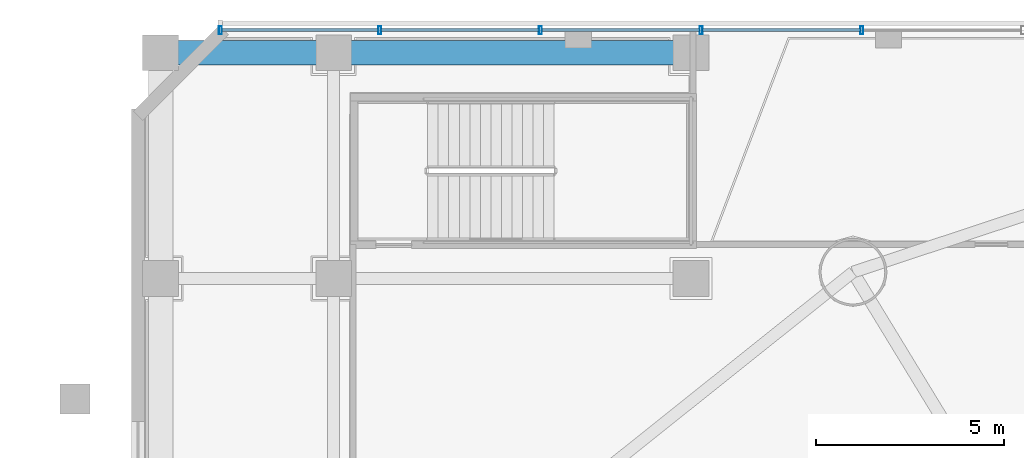
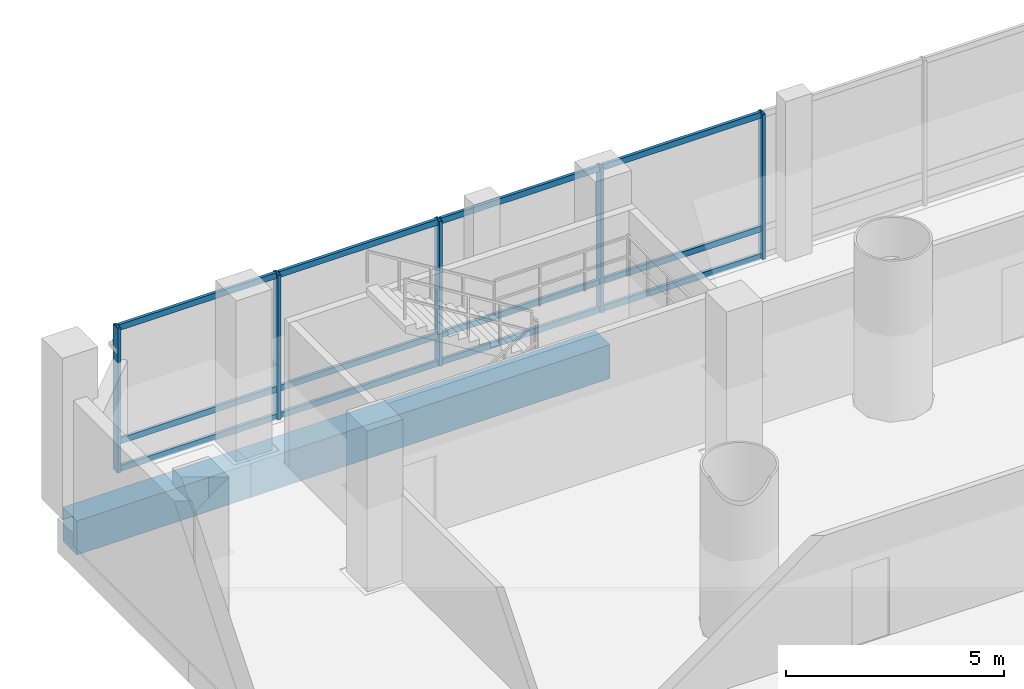
# One storey, part 11 of 36: 17 members, 2 beams, 1 element without a shape of its own.
"""IFC4 building model written with IfcOpenShell, lengths in metres."""

from ifc_helpers import new_model, si_unit, direction, frame, origin, origin_2d, place, context, subcontext, project, spatial, rectangle, hollow_rectangle, extrude, source, transform, mapped, material, material_profile, profile_set, type_object, element, aggregate, save


model = new_model("IFC4")

# Units and contexts
model_context = context("Model", 3, precision=1e-05, world=origin(), true_north=direction((-0.2419218956, 0.970295726276)))
body_context = subcontext(model_context, "Body", "Model", "MODEL_VIEW")
ifc_project = project(units=[si_unit("LENGTHUNIT", "METRE"), si_unit("AREAUNIT", "SQUARE_METRE"), si_unit("VOLUMEUNIT", "CUBIC_METRE"), si_unit("PLANEANGLEUNIT", "RADIAN"), si_unit("MASSUNIT", "GRAM", prefix="KILO")], contexts=[model_context])

# Site, building, storey
site_placement = place(None, origin())
site = spatial("IfcSite", under=ifc_project, at=site_placement, CompositionType="ELEMENT")
building_placement = place(site_placement, origin())
building = spatial("IfcBuilding", under=site, at=building_placement, Name="Cobrevalo Terracotta Tower", CompositionType="ELEMENT")
storey_placement = place(building_placement, frame((0.0, 0.0, 14.39990234375)))
storey = spatial("IfcBuildingStorey", under=building, at=storey_placement, Name="L03", CompositionType="ELEMENT", Elevation=14.39990234375)

# Beams
ifc_material_1 = material(Name="Concrete C50", Category="concrete")
ifc_material_profile_1 = material_profile(ifc_material_1, rectangle(XDim=0.64990234375, YDim=0.949951171875, at=origin_2d()), Name="RC BM 650x950")
ifc_profile_set_1 = profile_set([ifc_material_profile_1], Name="Concrete C50")
beam_type = type_object("IfcBeamType", Name="Structural Spandrel RC BM 650x950 (Concrete C50)", PredefinedType="SPANDREL", material=ifc_profile_set_1)
beam_1_placement = place(storey_placement, frame((4.39990234375, 50.800048828125, -0.77490234375), z_axis=(1.0, 0.0, 0.0), x_axis=(0.0, 1.0, 0.0)))
element("IfcBeam", 1, at=beam_1_placement, inside=storey, type_object=beam_type, Name="L03 podium grid beam G1-GG to G2-GG", PredefinedType="SPANDREL", context=body_context, shape_type="SweptSolid", body=[
    extrude(rectangle(XDim=0.64990234375, YDim=0.949951171875, at=origin_2d()), origin(), (0.0, 0.0, 1.0), 4.60009765625),
])
beam_2_placement = place(storey_placement, frame((9.0, 50.800048828125, -0.77490234375), z_axis=(1.0, 0.0, 0.0), x_axis=(0.0, 1.0, 0.0)))
element("IfcBeam", 2, at=beam_2_placement, inside=storey, type_object=beam_type, Name="L03 podium grid beam G2-GG to G3-GG", PredefinedType="SPANDREL", context=body_context, shape_type="SweptSolid", body=[
    extrude(rectangle(XDim=0.64990234375, YDim=0.949951171875, at=origin_2d()), origin(), (0.0, 0.0, 1.0), 9.5),
])

# Curtain wall, members
ifc_material_2 = material(Name="Anodized aluminium", Category="aluminium")
curtain_wall_type = type_object("IfcCurtainWallType", Name="Podium gallery & conservatory curtain wall CW-S2", PredefinedType="NOTDEFINED", material=ifc_material_2)
curtain_wall_placement = place(storey_placement, origin())
curtain_wall = element("IfcCurtainWall", 3, at=curtain_wall_placement, inside=storey, type_object=curtain_wall_type, Name="L03 curtain wall CW-POD-L03-N", PredefinedType="NOTDEFINED")
ifc_material_profile_2 = material_profile(ifc_material_2, hollow_rectangle(XDim=0.080078125, YDim=0.1650390625, WallThickness=0.00439453125, at=origin_2d()), Name="CWT 80x165")
ifc_profile_set_2 = profile_set([ifc_material_profile_2], Name="Anodized aluminium")
member_type_1 = type_object("IfcMemberType", Name="Storefront & atrium aluminium transom 80x165", PredefinedType="USERDEFINED", material=ifc_profile_set_2)
shared_shape_1 = source(origin(), body_context, "Body", "SweptSolid", [
    extrude(hollow_rectangle(XDim=0.080078125, YDim=0.1650390625, WallThickness=0.00439453125, at=origin_2d()), origin(), (0.0, 0.0, 1.0), 4.1533203125),
])
member_1_placement = place(storey_placement, frame((10.183349609375, 51.39990234375, 0.050048828125), z_axis=(-1.0, 0.0, 0.0), x_axis=(0.0, -1.0, 0.0)))
member_1 = element("IfcMember", 4, at=member_1_placement, type_object=member_type_1, Name="CW-POD-L03-N transom B15-T1", ObjectType="TRANSOM", PredefinedType="USERDEFINED", context=body_context, shape_type="MappedRepresentation", body=[
    mapped(shared_shape_1, transform((0.0, 0.0, 0.0), scale=1.0)),
])
member_2_placement = place(storey_placement, frame((10.183349609375, 51.39990234375, 0.820068359375), z_axis=(-1.0, 0.0, 0.0), x_axis=(0.0, -1.0, 0.0)))
member_2 = element("IfcMember", 5, at=member_2_placement, type_object=member_type_1, Name="CW-POD-L03-N transom B15-T2", ObjectType="TRANSOM", PredefinedType="USERDEFINED", context=body_context, shape_type="MappedRepresentation", body=[
    mapped(shared_shape_1, transform((0.0, 0.0, 0.0), scale=1.0)),
])
member_3_placement = place(storey_placement, frame((10.183349609375, 51.39990234375, 4.0), z_axis=(-1.0, 0.0, 0.0), x_axis=(0.0, -1.0, 0.0)))
member_3 = element("IfcMember", 6, at=member_3_placement, type_object=member_type_1, Name="CW-POD-L03-N transom B15-T3", ObjectType="TRANSOM", PredefinedType="USERDEFINED", context=body_context, shape_type="MappedRepresentation", body=[
    mapped(shared_shape_1, transform((0.0, 0.0, 0.0), scale=1.0)),
])
shared_shape_2 = source(origin(), body_context, "Body", "SweptSolid", [
    extrude(hollow_rectangle(XDim=0.080078125, YDim=0.1650390625, WallThickness=0.00439453125, at=origin_2d()), origin(), (0.0, 0.0, 1.0), 4.193359375),
])
member_4_placement = place(storey_placement, frame((23.00341796875, 51.39990234375, 0.050048828125), z_axis=(-1.0, 0.0, 0.0), x_axis=(0.0, -1.0, 0.0)))
member_4 = element("IfcMember", 7, at=member_4_placement, type_object=member_type_1, Name="CW-POD-L03-N transom B12-T1", ObjectType="TRANSOM", PredefinedType="USERDEFINED", context=body_context, shape_type="MappedRepresentation", body=[
    mapped(shared_shape_2, transform((0.0, 0.0, 0.0), scale=1.0)),
])
member_5_placement = place(storey_placement, frame((23.00341796875, 51.39990234375, 0.820068359375), z_axis=(-1.0, 0.0, 0.0), x_axis=(0.0, -1.0, 0.0)))
member_5 = element("IfcMember", 8, at=member_5_placement, type_object=member_type_1, Name="CW-POD-L03-N transom B12-T2", ObjectType="TRANSOM", PredefinedType="USERDEFINED", context=body_context, shape_type="MappedRepresentation", body=[
    mapped(shared_shape_2, transform((0.0, 0.0, 0.0), scale=1.0)),
])
member_6_placement = place(storey_placement, frame((23.00341796875, 51.39990234375, 4.0), z_axis=(-1.0, 0.0, 0.0), x_axis=(0.0, -1.0, 0.0)))
member_6 = element("IfcMember", 9, at=member_6_placement, type_object=member_type_1, Name="CW-POD-L03-N transom B12-T3", ObjectType="TRANSOM", PredefinedType="USERDEFINED", context=body_context, shape_type="MappedRepresentation", body=[
    mapped(shared_shape_2, transform((0.0, 0.0, 0.0), scale=1.0)),
])
member_7_placement = place(storey_placement, frame((18.72998046875, 51.39990234375, 0.050048828125), z_axis=(-1.0, 0.0, 0.0), x_axis=(0.0, -1.0, 0.0)))
member_7 = element("IfcMember", 10, at=member_7_placement, type_object=member_type_1, Name="CW-POD-L03-N transom B13-T1", ObjectType="TRANSOM", PredefinedType="USERDEFINED", context=body_context, shape_type="MappedRepresentation", body=[
    mapped(shared_shape_2, transform((0.0, 0.0, 0.0), scale=1.0)),
])
member_8_placement = place(storey_placement, frame((18.72998046875, 51.39990234375, 0.820068359375), z_axis=(-1.0, 0.0, 0.0), x_axis=(0.0, -1.0, 0.0)))
member_8 = element("IfcMember", 11, at=member_8_placement, type_object=member_type_1, Name="CW-POD-L03-N transom B13-T2", ObjectType="TRANSOM", PredefinedType="USERDEFINED", context=body_context, shape_type="MappedRepresentation", body=[
    mapped(shared_shape_2, transform((0.0, 0.0, 0.0), scale=1.0)),
])
member_9_placement = place(storey_placement, frame((18.72998046875, 51.39990234375, 4.0), z_axis=(-1.0, 0.0, 0.0), x_axis=(0.0, -1.0, 0.0)))
member_9 = element("IfcMember", 12, at=member_9_placement, type_object=member_type_1, Name="CW-POD-L03-N transom B13-T3", ObjectType="TRANSOM", PredefinedType="USERDEFINED", context=body_context, shape_type="MappedRepresentation", body=[
    mapped(shared_shape_2, transform((0.0, 0.0, 0.0), scale=1.0)),
])
member_10_placement = place(storey_placement, frame((14.456787109375, 51.39990234375, 0.050048828125), z_axis=(-1.0, 0.0, 0.0), x_axis=(0.0, -1.0, 0.0)))
member_10 = element("IfcMember", 13, at=member_10_placement, type_object=member_type_1, Name="CW-POD-L03-N transom B14-T1", ObjectType="TRANSOM", PredefinedType="USERDEFINED", context=body_context, shape_type="MappedRepresentation", body=[
    mapped(shared_shape_2, transform((0.0, 0.0, 0.0), scale=1.0)),
])
member_11_placement = place(storey_placement, frame((14.456787109375, 51.39990234375, 0.820068359375), z_axis=(-1.0, 0.0, 0.0), x_axis=(0.0, -1.0, 0.0)))
member_11 = element("IfcMember", 14, at=member_11_placement, type_object=member_type_1, Name="CW-POD-L03-N transom B14-T2", ObjectType="TRANSOM", PredefinedType="USERDEFINED", context=body_context, shape_type="MappedRepresentation", body=[
    mapped(shared_shape_2, transform((0.0, 0.0, 0.0), scale=1.0)),
])
member_12_placement = place(storey_placement, frame((14.456787109375, 51.39990234375, 4.0), z_axis=(-1.0, 0.0, 0.0), x_axis=(0.0, -1.0, 0.0)))
member_12 = element("IfcMember", 15, at=member_12_placement, type_object=member_type_1, Name="CW-POD-L03-N transom B14-T3", ObjectType="TRANSOM", PredefinedType="USERDEFINED", context=body_context, shape_type="MappedRepresentation", body=[
    mapped(shared_shape_2, transform((0.0, 0.0, 0.0), scale=1.0)),
])
ifc_material_profile_3 = material_profile(ifc_material_2, hollow_rectangle(XDim=0.080078125, YDim=0.219970703125, WallThickness=0.0048828125, at=origin_2d()), Name="CWM 80x220")
ifc_profile_set_3 = profile_set([ifc_material_profile_3], Name="Anodized aluminium")
member_type_2 = type_object("IfcMemberType", Name="Storefront & atrium aluminium mullion 80x220", PredefinedType="MULLION", material=ifc_profile_set_3)
shared_shape_3 = source(origin(), body_context, "Body", "SweptSolid", [
    extrude(hollow_rectangle(XDim=0.080078125, YDim=0.219970703125, WallThickness=0.0048828125, at=origin_2d()), origin(), (0.0, 0.0, 1.0), 4.050048828125),
])
member_13_placement = place(storey_placement, frame((23.043212890625, 51.39990234375, 0.0), z_axis=(0.0, 0.0, 1.0), x_axis=(-1.0, 0.0, 0.0)))
member_13 = element("IfcMember", 16, at=member_13_placement, type_object=member_type_2, Name="CW-POD-L03-N vertical mullion 12", PredefinedType="MULLION", context=body_context, shape_type="MappedRepresentation", body=[
    mapped(shared_shape_3, transform((0.0, 0.0, 0.0), scale=1.0)),
])
member_14_placement = place(storey_placement, frame((18.77001953125, 51.39990234375, 0.0), z_axis=(0.0, 0.0, 1.0), x_axis=(-1.0, 0.0, 0.0)))
member_14 = element("IfcMember", 17, at=member_14_placement, type_object=member_type_2, Name="CW-POD-L03-N vertical mullion 13", PredefinedType="MULLION", context=body_context, shape_type="MappedRepresentation", body=[
    mapped(shared_shape_3, transform((0.0, 0.0, 0.0), scale=1.0)),
])
member_15_placement = place(storey_placement, frame((14.49658203125, 51.39990234375, 0.0), z_axis=(0.0, 0.0, 1.0), x_axis=(-1.0, 0.0, 0.0)))
member_15 = element("IfcMember", 18, at=member_15_placement, type_object=member_type_2, Name="CW-POD-L03-N vertical mullion 14", PredefinedType="MULLION", context=body_context, shape_type="MappedRepresentation", body=[
    mapped(shared_shape_3, transform((0.0, 0.0, 0.0), scale=1.0)),
])
member_16_placement = place(storey_placement, frame((10.223388671875, 51.39990234375, 0.0), z_axis=(0.0, 0.0, 1.0), x_axis=(-1.0, 0.0, 0.0)))
member_16 = element("IfcMember", 19, at=member_16_placement, type_object=member_type_2, Name="CW-POD-L03-N vertical mullion 15", PredefinedType="MULLION", context=body_context, shape_type="MappedRepresentation", body=[
    mapped(shared_shape_3, transform((0.0, 0.0, 0.0), scale=1.0)),
])
member_17_placement = place(storey_placement, frame((5.989990234375, 51.39990234375, 0.0), z_axis=(0.0, 0.0, 1.0), x_axis=(-1.0, 0.0, 0.0)))
member_17 = element("IfcMember", 20, at=member_17_placement, type_object=member_type_2, Name="CW-POD-L03-N vertical mullion 16", PredefinedType="MULLION", context=body_context, shape_type="MappedRepresentation", body=[
    mapped(shared_shape_3, transform((0.0, 0.0, 0.0), scale=1.0)),
])
aggregate(curtain_wall, [member_13, member_14, member_15, member_16, member_17, member_4, member_5, member_6, member_7, member_8, member_9, member_10, member_11, member_12, member_1, member_2, member_3])

save(model, "model.ifc")
